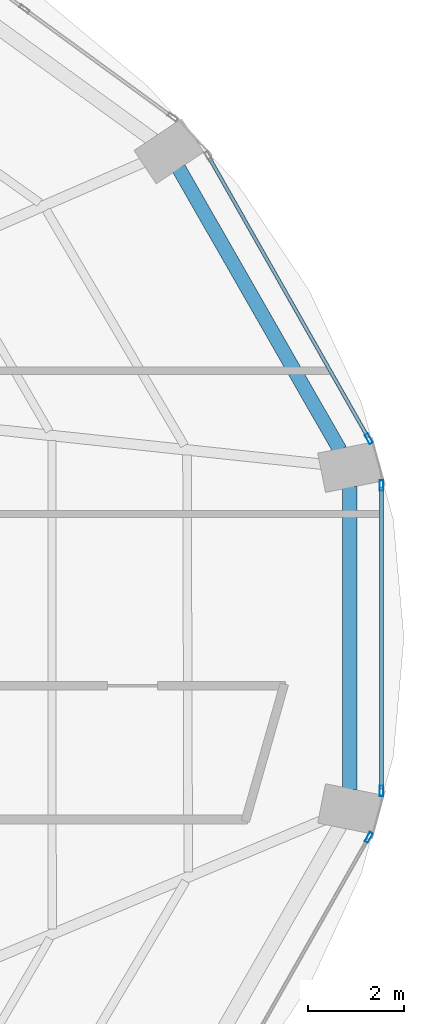
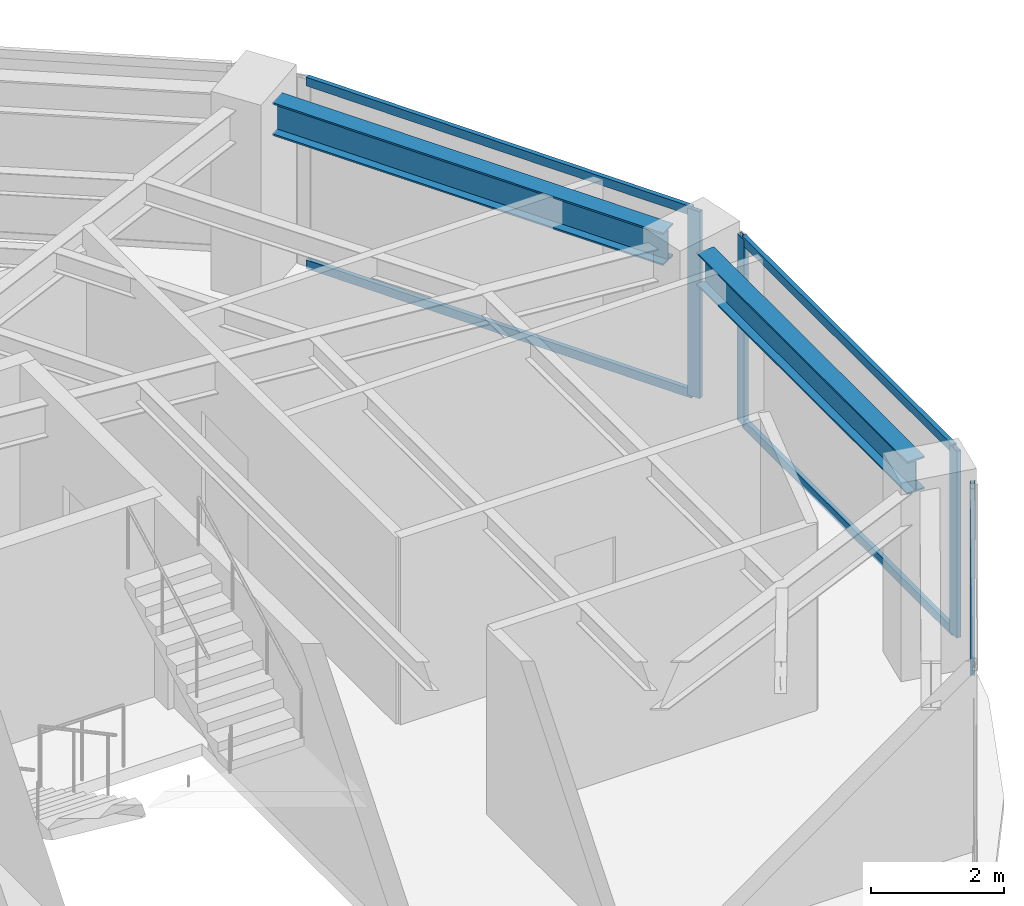
# One storey, part 13 of 24: 8 members, 2 beams, 3 elements without a shape of their own.
"""IFC4 building model written with IfcOpenShell, lengths in metres."""

from ifc_helpers import new_model, si_unit, direction, frame, origin, origin_2d, place, context, subcontext, project, spatial, hollow_rectangle, i_section, extrude, material, layer, layer_set, material_profile, profile_set, type_object, element, aggregate, save


model = new_model("IFC4")

# Units and contexts
model_context = context("Model", 3, precision=1e-05, world=origin(), true_north=direction((0.0, 1.0)))
body_context = subcontext(model_context, "Body", "Model", "MODEL_VIEW")
ifc_project = project(units=[si_unit("LENGTHUNIT", "METRE"), si_unit("AREAUNIT", "SQUARE_METRE"), si_unit("VOLUMEUNIT", "CUBIC_METRE"), si_unit("PLANEANGLEUNIT", "RADIAN"), si_unit("MASSUNIT", "GRAM", prefix="KILO")], contexts=[model_context])

# Site, building, storey
site_placement = place(None, origin())
site = spatial("IfcSite", under=ifc_project, at=site_placement, CompositionType="ELEMENT")
building_placement = place(site_placement, origin())
building = spatial("IfcBuilding", under=site, at=building_placement, Name="Lazwardi Medical Tower", CompositionType="ELEMENT")
storey_placement = place(building_placement, frame((0.0, 0.0, 103.632080078125)))
storey = spatial("IfcBuildingStorey", under=building, at=storey_placement, Name="L26", CompositionType="ELEMENT", Elevation=103.632080078125)

# Beams
ifc_material_1 = material(Name="Steel S355", Category="steel")
ifc_material_profile_1 = material_profile(ifc_material_1, i_section(OverallWidth=0.300048828125, OverallDepth=0.60009765625, WebThickness=0.015380859375, FlangeThickness=0.030029296875, at=origin_2d()), Name="HEB 600")
ifc_profile_set_1 = profile_set([ifc_material_profile_1], Name="Steel S355")
beam_type = type_object("IfcBeamType", Name="BM-RB-Z2", PredefinedType="BEAM", material=ifc_profile_set_1)
beam_1_placement = place(storey_placement, frame((60.86279296875, 27.22998046875, 3.1279296875), z_axis=(0.0, 1.0, 0.0), x_axis=(-1.0, 0.0, 0.0)))
element("IfcBeam", 1, at=beam_1_placement, inside=storey, type_object=beam_type, Name="Ring beam RB-03 B04 L26", PredefinedType="BEAM", context=body_context, shape_type="SweptSolid", body=[
    extrude(i_section(OverallWidth=0.300048828125, OverallDepth=0.60009765625, WebThickness=0.015380859375, FlangeThickness=0.030029296875, at=origin_2d()), origin(), (0.0, 0.0, 1.0), 6.33984375),
])
beam_2_placement = place(storey_placement, frame((60.6591796875, 34.335693359375, 3.1279296875), z_axis=(-0.496637551254, 0.867958030486, 0.0), x_axis=(-0.867958030486, -0.496637551254, 0.0)))
element("IfcBeam", 2, at=beam_2_placement, inside=storey, type_object=beam_type, Name="Ring beam RB-03 B05 L26", PredefinedType="BEAM", context=body_context, shape_type="SweptSolid", body=[
    extrude(i_section(OverallWidth=0.300048828125, OverallDepth=0.60009765625, WebThickness=0.015380859375, FlangeThickness=0.030029296875, at=origin_2d()), origin(), (0.0, 0.0, 1.0), 6.801025390625),
])

# Curtain wall, member
ifc_material_2 = material(Name="Anodised bronze aluminium and solar control glazing", Category="aluminium")
ifc_layer = layer(ifc_material_2, 0.195068359375)
ifc_layer_set = layer_set([ifc_layer], Name="Anodised bronze aluminium and solar control glazing")
curtain_wall_type = type_object("IfcCurtainWallType", Name="CW-SYS-03", PredefinedType="NOTDEFINED", material=ifc_layer_set)
curtain_wall_1_placement = place(storey_placement, origin())
curtain_wall_1 = element("IfcCurtainWall", 3, at=curtain_wall_1_placement, inside=storey, type_object=curtain_wall_type, Name="L26 Unitised bronze curtain wall CW-03", PredefinedType="NOTDEFINED")
ifc_material_3 = material(Name="Anodised bronze aluminium", Category="aluminium")
ifc_material_profile_2 = material_profile(ifc_material_3, hollow_rectangle(XDim=0.074951171875, YDim=0.219970703125, WallThickness=0.00390625, at=origin_2d()), Name="ALU-MULLION 220x75x4")
ifc_profile_set_2 = profile_set([ifc_material_profile_2], Name="Anodised bronze aluminium")
member_type_1 = type_object("IfcMemberType", Name="CW-MUL-01", PredefinedType="MULLION", material=ifc_profile_set_2)
member_1_placement = place(storey_placement, frame((61.2626953125, 26.22607421875, 0.0), z_axis=(0.0, 0.0, 1.0), x_axis=(-0.869687265712, 0.493603140041, 0.0)))
member_1 = element("IfcMember", 4, at=member_1_placement, type_object=member_type_1, Name="CW-03 mullion 2", PredefinedType="MULLION", context=body_context, shape_type="SweptSolid", body=[
    extrude(hollow_rectangle(XDim=0.074951171875, YDim=0.219970703125, WallThickness=0.00390625, at=origin_2d()), origin(), (0.0, 0.0, 1.0), 3.427978515625),
])
aggregate(curtain_wall_1, [member_1])

# Curtain wall, members
curtain_wall_2_placement = place(storey_placement, origin())
curtain_wall_2 = element("IfcCurtainWall", 5, at=curtain_wall_2_placement, inside=storey, type_object=curtain_wall_type, Name="L26 Unitised bronze curtain wall CW-03", PredefinedType="NOTDEFINED")
member_2_placement = place(storey_placement, frame((61.528076171875, 27.20263671875, 0.0), z_axis=(0.0, 0.0, 1.0), x_axis=(-1.0, 0.0, 0.0)))
member_2 = element("IfcMember", 6, at=member_2_placement, type_object=member_type_1, Name="CW-03 mullion 1", PredefinedType="MULLION", context=body_context, shape_type="SweptSolid", body=[
    extrude(hollow_rectangle(XDim=0.074951171875, YDim=0.219970703125, WallThickness=0.00390625, at=origin_2d()), origin(), (0.0, 0.0, 1.0), 3.427978515625),
])
member_3_placement = place(storey_placement, frame((61.528076171875, 33.597412109375, 0.0), z_axis=(0.0, 0.0, 1.0), x_axis=(-1.0, 0.0, 0.0)))
member_3 = element("IfcMember", 7, at=member_3_placement, type_object=member_type_1, Name="CW-03 mullion 2", PredefinedType="MULLION", context=body_context, shape_type="SweptSolid", body=[
    extrude(hollow_rectangle(XDim=0.074951171875, YDim=0.219970703125, WallThickness=0.00390625, at=origin_2d()), origin(), (0.0, 0.0, 1.0), 3.427978515625),
])

# Curtain wall, member
curtain_wall_3_placement = place(storey_placement, origin())
curtain_wall_3 = element("IfcCurtainWall", 8, at=curtain_wall_3_placement, inside=storey, type_object=curtain_wall_type, Name="L26 Unitised bronze curtain wall CW-03", PredefinedType="NOTDEFINED")
member_4_placement = place(storey_placement, frame((61.2626953125, 34.57373046875, 0.0), z_axis=(0.0, 0.0, 1.0), x_axis=(-0.869687265712, -0.493603140041, 0.0)))
member_4 = element("IfcMember", 9, at=member_4_placement, type_object=member_type_1, Name="CW-03 mullion 1", PredefinedType="MULLION", context=body_context, shape_type="SweptSolid", body=[
    extrude(hollow_rectangle(XDim=0.074951171875, YDim=0.219970703125, WallThickness=0.00390625, at=origin_2d()), origin(), (0.0, 0.0, 1.0), 3.427978515625),
])

# Member
ifc_material_profile_3 = material_profile(ifc_material_3, hollow_rectangle(XDim=0.074951171875, YDim=0.159912109375, WallThickness=0.00390625, at=origin_2d()), Name="ALU-TRANSOM 160x75x4")
ifc_profile_set_3 = profile_set([ifc_material_profile_3], Name="Anodised bronze aluminium")
member_type_2 = type_object("IfcMemberType", Name="CW-TRN-01", PredefinedType="USERDEFINED", material=ifc_profile_set_3)
member_5_placement = place(storey_placement, frame((61.528076171875, 27.239990234375, 0.037353515625), z_axis=(0.0, 1.0, 0.0), x_axis=(-1.0, 0.0, 0.0)))
member_5 = element("IfcMember", 10, at=member_5_placement, type_object=member_type_2, Name="CW-03 transom 1.1", ObjectType="TRANSOM", PredefinedType="USERDEFINED", context=body_context, shape_type="SweptSolid", body=[
    extrude(hollow_rectangle(XDim=0.074951171875, YDim=0.159912109375, WallThickness=0.00390625, at=origin_2d()), origin(), (0.0, 0.0, 1.0), 6.31982421875),
])

member_6_placement = place(storey_placement, frame((61.528076171875, 27.239990234375, 3.390380859375), z_axis=(0.0, 1.0, 0.0), x_axis=(-1.0, 0.0, 0.0)))
member_6 = element("IfcMember", 11, at=member_6_placement, type_object=member_type_2, Name="CW-03 transom 1.2", ObjectType="TRANSOM", PredefinedType="USERDEFINED", context=body_context, shape_type="SweptSolid", body=[
    extrude(hollow_rectangle(XDim=0.074951171875, YDim=0.159912109375, WallThickness=0.00390625, at=origin_2d()), origin(), (0.0, 0.0, 1.0), 6.31982421875),
])

aggregate(curtain_wall_2, [member_2, member_3, member_5, member_6])

member_7_placement = place(storey_placement, frame((61.244140625, 34.6064453125, 0.037353515625), z_axis=(-0.493614427365, 0.869680859337, 0.0), x_axis=(-0.869680859337, -0.493614427365, 0.0)))
member_7 = element("IfcMember", 12, at=member_7_placement, type_object=member_type_2, Name="CW-03 transom 1.1", ObjectType="TRANSOM", PredefinedType="USERDEFINED", context=body_context, shape_type="SweptSolid", body=[
    extrude(hollow_rectangle(XDim=0.074951171875, YDim=0.159912109375, WallThickness=0.00390625, at=origin_2d()), origin(), (0.0, 0.0, 1.0), 6.72314453125),
])

member_8_placement = place(storey_placement, frame((61.244140625, 34.6064453125, 3.390380859375), z_axis=(-0.493614427365, 0.869680859337, 0.0), x_axis=(-0.869680859337, -0.493614427365, 0.0)))
member_8 = element("IfcMember", 13, at=member_8_placement, type_object=member_type_2, Name="CW-03 transom 1.2", ObjectType="TRANSOM", PredefinedType="USERDEFINED", context=body_context, shape_type="SweptSolid", body=[
    extrude(hollow_rectangle(XDim=0.074951171875, YDim=0.159912109375, WallThickness=0.00390625, at=origin_2d()), origin(), (0.0, 0.0, 1.0), 6.72314453125),
])

aggregate(curtain_wall_3, [member_4, member_7, member_8])

save(model, "model.ifc")
